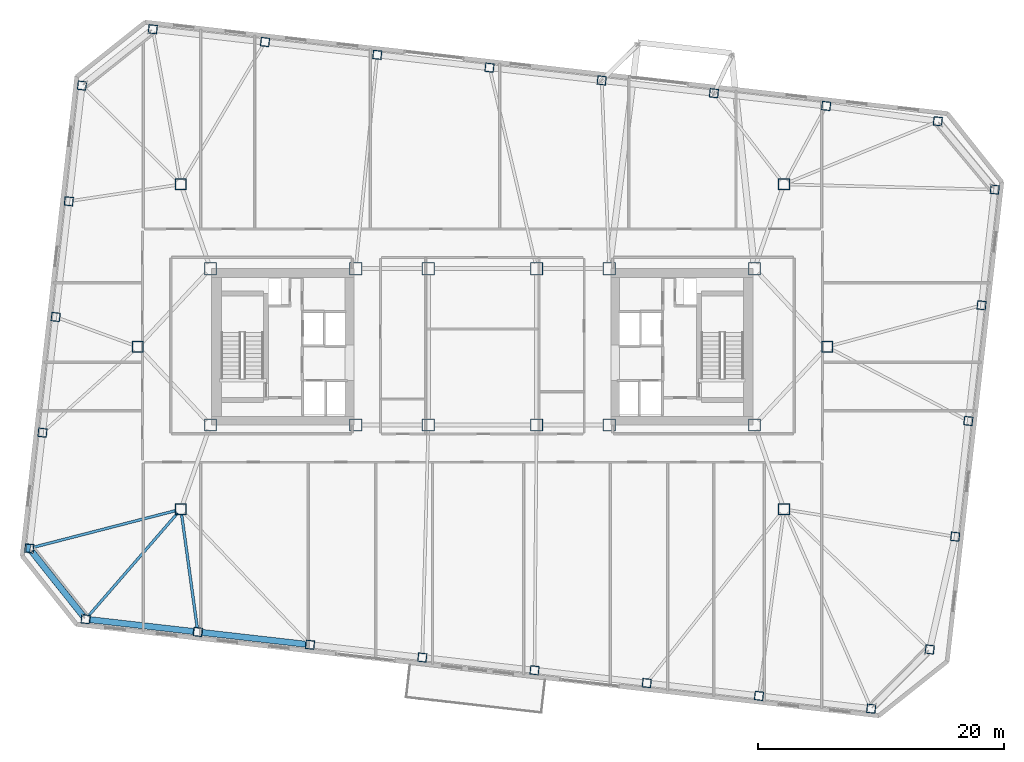
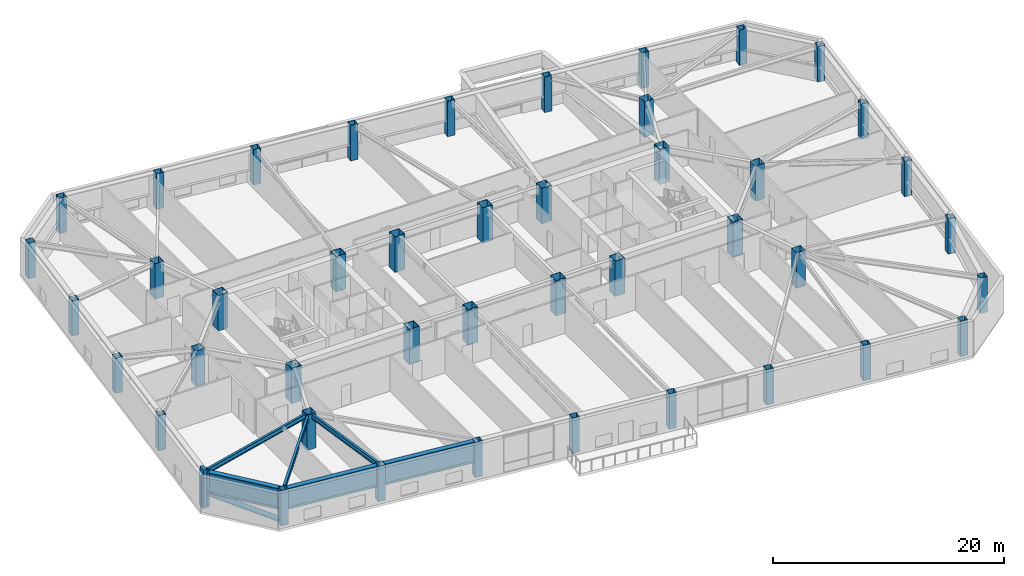
# One storey, part 1 of 21: 44 columns, 6 beams, 2 members.
"""IFC4 building model written with IfcOpenShell, lengths in metres."""

from ifc_helpers import new_model, si_unit, direction, frame, origin, origin_2d, place, context, subcontext, project, spatial, rectangle, hollow_rectangle, hollow_circle, i_section, extrude, material, material_profile, profile_set, type_object, element, save


model = new_model("IFC4")

# Units and contexts
model_context = context("Model", 3, precision=1e-05, world=origin(), true_north=direction((0.0, 1.0)))
body_context = subcontext(model_context, "Body", "Model", "MODEL_VIEW")
ifc_project = project(units=[si_unit("LENGTHUNIT", "METRE"), si_unit("AREAUNIT", "SQUARE_METRE"), si_unit("VOLUMEUNIT", "CUBIC_METRE"), si_unit("PLANEANGLEUNIT", "RADIAN"), si_unit("MASSUNIT", "GRAM", prefix="KILO")], contexts=[model_context])

# Site, building, storey
site_placement = place(None, origin())
site = spatial("IfcSite", under=ifc_project, at=site_placement, CompositionType="ELEMENT")
building_placement = place(site_placement, origin())
building = spatial("IfcBuilding", under=site, at=building_placement, Name="Tavrogorsk Clinical Tower", CompositionType="ELEMENT")
storey_placement = place(building_placement, frame((0.0, 0.0, 109.39990234375)))
storey = spatial("IfcBuildingStorey", under=building, at=storey_placement, Name="L24", CompositionType="ELEMENT", Elevation=109.39990234375)

# Columns
ifc_material_1 = material(Name="Structural steel S440", Category="steel")
ifc_material_profile_1 = material_profile(ifc_material_1, hollow_rectangle(XDim=1.0, YDim=1.0, WallThickness=0.044921875, at=origin_2d()), Name="BOX-1000x1000x45")
ifc_profile_set_1 = profile_set([ifc_material_profile_1], Name="Structural steel S440")
column_type_1 = type_object("IfcColumnType", Name="MegaCol_BOX1000", PredefinedType="COLUMN", material=ifc_profile_set_1)
for number, where, z_axis, x_axis, name in (
    (1, (-22.10009765625, -6.35009765625, 0.0), (0.0, 0.0, 1.0), (1.0, 0.0, 0.0), "L24 Mega Column MC-W1"),
    (2, (-22.10009765625, 6.35009765625, 0.0), (0.0, 0.0, 1.0), (1.0, 0.0, 0.0), "L24 Mega Column MC-W2"),
    (3, (-10.300048828125, -6.35009765625, 0.0), (0.0, 0.0, 1.0), (1.0, 0.0, 0.0), "L24 Mega Column MC-W3"),
    (4, (-10.300048828125, 6.35009765625, 0.0), (0.0, 0.0, 1.0), (1.0, 0.0, 0.0), "L24 Mega Column MC-W4"),
    (5, (10.300048828125, -6.35009765625, 0.0), (0.0, 0.0, 1.0), (1.0, 0.0, 0.0), "L24 Mega Column MC-E1"),
    (6, (10.300048828125, 6.35009765625, 0.0), (0.0, 0.0, 1.0), (1.0, 0.0, 0.0), "L24 Mega Column MC-E2"),
    (7, (22.10009765625, -6.35009765625, 0.0), (0.0, 0.0, 1.0), (1.0, 0.0, 0.0), "L24 Mega Column MC-E3"),
    (8, (22.10009765625, 6.35009765625, 0.0), (0.0, 0.0, 1.0), (1.0, 0.0, 0.0), "L24 Mega Column MC-E4"),
    (9, (-4.39990234375, -6.35009765625, 0.0), (0.0, 0.0, 1.0), (1.0, 0.0, 0.0), "L24 Mega Column MC-C1"),
    (10, (4.39990234375, -6.35009765625, 0.0), (0.0, 0.0, 1.0), (1.0, 0.0, 0.0), "L24 Mega Column MC-C2"),
    (11, (-4.39990234375, 6.35009765625, 0.0), (0.0, 0.0, 1.0), (1.0, 0.0, 0.0), "L24 Mega Column MC-C3"),
    (12, (4.39990234375, 6.35009765625, 0.0), (0.0, 0.0, 1.0), (1.0, 0.0, 0.0), "L24 Mega Column MC-C4"),
):
    element("IfcColumn", number, at=place(storey_placement, frame(where, z_axis=z_axis, x_axis=x_axis)), inside=storey, type_object=column_type_1, Name=name, PredefinedType="COLUMN", context=body_context, shape_type="SweptSolid", body=[
        extrude(hollow_rectangle(XDim=1.0, YDim=1.0, WallThickness=0.044921875, at=origin_2d()), origin(), (0.0, 0.0, 1.0), 3.739990234375),
    ])
ifc_material_2 = material(Name="Structural steel S440", Category="steel")
ifc_material_profile_2 = material_profile(ifc_material_2, hollow_rectangle(XDim=0.89990234375, YDim=0.89990234375, WallThickness=0.0400390625, at=origin_2d()), Name="BOX-900x900x40")
ifc_profile_set_2 = profile_set([ifc_material_profile_2], Name="Structural steel S440")
column_type_2 = type_object("IfcColumnType", Name="MegaCol_BOX900", PredefinedType="COLUMN", material=ifc_profile_set_2)
for number, where, z_axis, x_axis, name in (
    (13, (-24.5, -13.199951171875, 0.0), (0.0, 0.0, 1.0), (1.0, 0.0, 0.0), "L24 Spine Pilotis Column MC-P1"),
    (14, (24.5, -13.199951171875, 0.0), (0.0, 0.0, 1.0), (1.0, 0.0, 0.0), "L24 Spine Pilotis Column MC-P2"),
    (15, (-24.5, 13.199951171875, 0.0), (0.0, 0.0, 1.0), (1.0, 0.0, 0.0), "L24 Spine Pilotis Column MC-P3"),
    (16, (24.5, 13.199951171875, 0.0), (0.0, 0.0, 1.0), (1.0, 0.0, 0.0), "L24 Spine Pilotis Column MC-P4"),
    (17, (-28.0, 0.0, 0.0), (0.0, 0.0, 1.0), (1.0, 0.0, 0.0), "L24 Spine Pilotis Column MC-P5"),
    (18, (28.0, 0.0, 0.0), (0.0, 0.0, 1.0), (1.0, 0.0, 0.0), "L24 Spine Pilotis Column MC-P6"),
):
    element("IfcColumn", number, at=place(storey_placement, frame(where, z_axis=z_axis, x_axis=x_axis)), inside=storey, type_object=column_type_2, Name=name, PredefinedType="COLUMN", context=body_context, shape_type="SweptSolid", body=[
        extrude(hollow_rectangle(XDim=0.89990234375, YDim=0.89990234375, WallThickness=0.0400390625, at=origin_2d()), origin(), (0.0, 0.0, 1.0), 3.739990234375),
    ])
ifc_material_3 = material(Name="Structural steel S440", Category="steel")
ifc_material_profile_3 = material_profile(ifc_material_3, hollow_rectangle(XDim=0.699951171875, YDim=0.699951171875, WallThickness=0.031982421875, at=origin_2d()), Name="BOX-700x700x32")
ifc_profile_set_3 = profile_set([ifc_material_profile_3], Name="Structural steel S440")
column_type_3 = type_object("IfcColumnType", Name="PerimCol_B2_BOX700", PredefinedType="COLUMN", material=ifc_profile_set_3)
for number, where, z_axis, x_axis, name in (
    (19, (-32.243896484375, -22.12890625, 0.0), (0.0, 0.0, 1.0), (0.993571855677, -0.113203213768, 0.0), "L24 Perimeter Column S1"),
    (20, (-23.1259765625, -23.167724609375, 0.0), (0.0, 0.0, 1.0), (0.993571855677, -0.113203213768, 0.0), "L24 Perimeter Column S2"),
    (21, (-14.0078125, -24.20654296875, 0.0), (0.0, 0.0, 1.0), (0.993571855677, -0.113203213768, 0.0), "L24 Perimeter Column S3"),
    (22, (-4.8896484375, -25.24560546875, 0.0), (0.0, 0.0, 1.0), (0.993571855677, -0.113203213768, 0.0), "L24 Perimeter Column S4"),
    (23, (4.228515625, -26.284423828125, 0.0), (0.0, 0.0, 1.0), (0.993571855677, -0.113203213768, 0.0), "L24 Perimeter Column S5"),
    (24, (13.3466796875, -27.3232421875, 0.0), (0.0, 0.0, 1.0), (0.993571855677, -0.113203213768, 0.0), "L24 Perimeter Column S6"),
    (25, (22.465087890625, -28.3623046875, 0.0), (0.0, 0.0, 1.0), (0.993571855677, -0.113203213768, 0.0), "L24 Perimeter Column S7"),
    (26, (31.5830078125, -29.40087890625, 0.0), (0.0, 0.0, 1.0), (0.993571855677, -0.113203213768, 0.0), "L24 Perimeter Column S8"),
    (27, (36.99658203125, 18.323486328125, 0.0), (0.0, 0.0, 1.0), (0.993571855677, -0.113203213768, 0.0), "L24 Perimeter Column N1"),
    (28, (27.92578125, 19.567626953125, 0.0), (0.0, 0.0, 1.0), (0.993571855677, -0.113203213768, 0.0), "L24 Perimeter Column N2"),
    (29, (18.8076171875, 20.606689453125, 0.0), (0.0, 0.0, 1.0), (0.993571855677, -0.113203213768, 0.0), "L24 Perimeter Column N3"),
    (30, (9.689697265625, 21.6455078125, 0.0), (0.0, 0.0, 1.0), (0.993571855677, -0.113203213768, 0.0), "L24 Perimeter Column N4"),
    (31, (0.5712890625, 22.684326171875, 0.0), (0.0, 0.0, 1.0), (0.993571855677, -0.113203213768, 0.0), "L24 Perimeter Column N5"),
    (32, (-8.546875, 23.723388671875, 0.0), (0.0, 0.0, 1.0), (0.993571855677, -0.113203213768, 0.0), "L24 Perimeter Column N6"),
    (33, (-17.6650390625, 24.76220703125, 0.0), (0.0, 0.0, 1.0), (0.993571855677, -0.113203213768, 0.0), "L24 Perimeter Column N7"),
    (34, (-26.783203125, 25.801025390625, 0.0), (0.0, 0.0, 1.0), (0.993571855677, -0.113203213768, 0.0), "L24 Perimeter Column N8"),
    (35, (36.335693359375, -24.591796875, 0.0), (0.0, 0.0, 1.0), (0.993571855677, -0.113203213768, 0.0), "L24 Perimeter Column E1"),
    (36, (38.4091796875, -15.423828125, 0.0), (0.0, 0.0, 1.0), (0.993571855677, -0.113203213768, 0.0), "L24 Perimeter Column E2"),
    (37, (39.47998046875, -6.024658203125, 0.0), (0.0, 0.0, 1.0), (0.993571855677, -0.113203213768, 0.0), "L24 Perimeter Column E3"),
    (38, (40.551025390625, 3.37451171875, 0.0), (0.0, 0.0, 1.0), (0.993571855677, -0.113203213768, 0.0), "L24 Perimeter Column E4"),
    (39, (41.621826171875, 12.773681640625, 0.0), (0.0, 0.0, 1.0), (0.993571855677, -0.113203213768, 0.0), "L24 Perimeter Column E5"),
    (40, (-32.538330078125, 21.22314453125, 0.0), (0.0, 0.0, 1.0), (0.993571855677, -0.113203213768, 0.0), "L24 Perimeter Column W1"),
    (41, (-33.609130859375, 11.823974609375, 0.0), (0.0, 0.0, 1.0), (0.993571855677, -0.113203213768, 0.0), "L24 Perimeter Column W2"),
    (42, (-34.68017578125, 2.4248046875, 0.0), (0.0, 0.0, 1.0), (0.993571855677, -0.113203213768, 0.0), "L24 Perimeter Column W3"),
    (43, (-35.7509765625, -6.974365234375, 0.0), (0.0, 0.0, 1.0), (0.993571855677, -0.113203213768, 0.0), "L24 Perimeter Column W4"),
    (44, (-36.822021484375, -16.37353515625, 0.0), (0.0, 0.0, 1.0), (0.993571855677, -0.113203213768, 0.0), "L24 Perimeter Column W5"),
):
    element("IfcColumn", number, at=place(storey_placement, frame(where, z_axis=z_axis, x_axis=x_axis)), inside=storey, type_object=column_type_3, Name=name, PredefinedType="COLUMN", context=body_context, shape_type="SweptSolid", body=[
        extrude(hollow_rectangle(XDim=0.699951171875, YDim=0.699951171875, WallThickness=0.031982421875, at=origin_2d()), origin(), (0.0, 0.0, 1.0), 3.739990234375),
    ])

# Member
ifc_material_4 = material(Name="Structural steel S440", Category="steel")
ifc_material_profile_4 = material_profile(ifc_material_4, hollow_circle(Radius=0.25390625, WallThickness=0.02001953125, at=origin_2d()), Name="CHS-508x20")
ifc_profile_set_4 = profile_set([ifc_material_profile_4], Name="Structural steel S440")
member_type_1 = type_object("IfcMemberType", Name="ExoBrace_CHS508", PredefinedType="BRACE", material=ifc_profile_set_4)
member_1_placement = place(storey_placement, frame((-32.464111328125, -21.852294921875, 0.357177734375), z_axis=(-0.61449437536, 0.772577658141, 0.15975113393), x_axis=(-0.782628707887, -0.622488799571, 0.0)))
element("IfcMember", 45, at=member_1_placement, inside=storey, type_object=member_type_1, Name="L24 Corner Exoskeleton Brace W5-S1", PredefinedType="BRACE", context=body_context, shape_type="SweptSolid", body=[
    extrude(hollow_circle(Radius=0.25390625, WallThickness=0.02001953125, at=origin_2d()), origin(), (0.0, 0.0, 1.0), 6.7333984375),
])

# Beams
ifc_material_5 = material(Name="Structural steel S355", Category="steel")
ifc_material_profile_5 = material_profile(ifc_material_5, i_section(OverallWidth=0.219970703125, OverallDepth=0.5, WebThickness=0.012939453125, FlangeThickness=0.02001953125, at=origin_2d()), Name="B-500x220x13x20")
ifc_profile_set_5 = profile_set([ifc_material_profile_5], Name="Structural steel S355")
beam_type_1 = type_object("IfcBeamType", Name="FloorBeam_B500", PredefinedType="BEAM", material=ifc_profile_set_5)
beam_1_placement = place(storey_placement, frame((-24.7685546875, -13.509765625, 3.489990234375), z_axis=(-0.655213926096, -0.755443387058, 0.0), x_axis=(0.755443387058, -0.655213926096, 0.0)))
element("IfcBeam", 46, at=beam_1_placement, inside=storey, type_object=beam_type_1, Name="L24 Radial Floor Beam S1", PredefinedType="BEAM", context=body_context, shape_type="SweptSolid", body=[
    extrude(i_section(OverallWidth=0.219970703125, OverallDepth=0.5, WebThickness=0.012939453125, FlangeThickness=0.02001953125, at=origin_2d()), origin(), (0.0, 0.0, 1.0), 11.05126953125),
])
beam_2_placement = place(storey_placement, frame((-24.444091796875, -13.606201171875, 3.489990234375), z_axis=(0.136572505989, -0.990630077581, 0.0), x_axis=(0.990630077581, 0.136572505989, 0.0)))
element("IfcBeam", 47, at=beam_2_placement, inside=storey, type_object=beam_type_1, Name="L24 Radial Floor Beam S2", PredefinedType="BEAM", context=body_context, shape_type="SweptSolid", body=[
    extrude(i_section(OverallWidth=0.219970703125, OverallDepth=0.5, WebThickness=0.012939453125, FlangeThickness=0.02001953125, at=origin_2d()), origin(), (0.0, 0.0, 1.0), 9.2939453125),
])
beam_3_placement = place(storey_placement, frame((-24.89697265625, -13.30224609375, 3.489990234375), z_axis=(-0.968393085087, -0.24942901346, 0.0), x_axis=(0.24942901346, -0.968393085087, 0.0)))
element("IfcBeam", 48, at=beam_3_placement, inside=storey, type_object=beam_type_1, Name="L24 Radial Floor Beam W5", PredefinedType="BEAM", context=body_context, shape_type="SweptSolid", body=[
    extrude(i_section(OverallWidth=0.219970703125, OverallDepth=0.5, WebThickness=0.012939453125, FlangeThickness=0.02001953125, at=origin_2d()), origin(), (0.0, 0.0, 1.0), 11.9560546875),
])

# Member
ifc_material_6 = material(Name="Precast concrete B45 with limestone cladding", Category="masonry")
ifc_material_profile_6 = material_profile(ifc_material_6, rectangle(XDim=0.320068359375, YDim=0.719970703125, at=origin_2d()), Name="LIMESTONE-FIN-320x720")
ifc_profile_set_6 = profile_set([ifc_material_profile_6], Name="Precast concrete B45 with limestone cladding")
member_type_2 = type_object("IfcMemberType", Name="LimestonePleatFin_320x720", PredefinedType="USERDEFINED", material=ifc_profile_set_6)
member_2_placement = place(storey_placement, frame((-36.9013671875, -16.364501953125, 0.0), z_axis=(0.0, 0.0, 1.0), x_axis=(0.993571855677, -0.113203213768, 0.0)))
element("IfcMember", 49, at=member_2_placement, inside=storey, type_object=member_type_2, Name="L24 W Pleated Stone Fin 4", ObjectType="FIN", PredefinedType="USERDEFINED", context=body_context, shape_type="SweptSolid", body=[
    extrude(rectangle(XDim=0.320068359375, YDim=0.719970703125, at=origin_2d()), origin(), (0.0, 0.0, 1.0), 4.0),
])

# Beams
ifc_material_7 = material(Name="Structural steel S440", Category="steel")
ifc_material_profile_7 = material_profile(ifc_material_7, i_section(OverallWidth=0.5, OverallDepth=2.199951171875, WebThickness=0.035888671875, FlangeThickness=0.054931640625, at=origin_2d()), Name="DK-2200x500x36x55")
ifc_profile_set_7 = profile_set([ifc_material_profile_7], Name="Structural steel S440")
beam_type_2 = type_object("IfcBeamType", Name="TransferGirder_DK2200", PredefinedType="USERDEFINED", material=ifc_profile_set_7)
beam_4_placement = place(storey_placement, frame((-31.88818359375, -22.16943359375, 2.64013671875), z_axis=(0.99357232562, -0.113199089054, 0.0), x_axis=(0.113199089054, 0.99357232562, 0.0)))
element("IfcBeam", 50, at=beam_4_placement, inside=storey, type_object=beam_type_2, Name="L24 Perimeter Spandrel S1-S2", ObjectType="GIRDER", PredefinedType="USERDEFINED", context=body_context, shape_type="SweptSolid", body=[
    extrude(i_section(OverallWidth=0.5, OverallDepth=2.199951171875, WebThickness=0.035888671875, FlangeThickness=0.054931640625, at=origin_2d()), origin(), (0.0, 0.0, 1.0), 8.4609375),
])
beam_5_placement = place(storey_placement, frame((-22.770263671875, -23.208251953125, 2.64013671875), z_axis=(0.99357306506, -0.113192598642, 0.0), x_axis=(0.113192598642, 0.99357306506, 0.0)))
element("IfcBeam", 51, at=beam_5_placement, inside=storey, type_object=beam_type_2, Name="L24 Perimeter Spandrel S2-S3", ObjectType="GIRDER", PredefinedType="USERDEFINED", context=body_context, shape_type="SweptSolid", body=[
    extrude(i_section(OverallWidth=0.5, OverallDepth=2.199951171875, WebThickness=0.035888671875, FlangeThickness=0.054931640625, at=origin_2d()), origin(), (0.0, 0.0, 1.0), 8.46142578125),
])
beam_6_placement = place(storey_placement, frame((-36.59912109375, -16.65380859375, 2.64013671875), z_axis=(0.622530733212, -0.782595352788, 0.0), x_axis=(0.782595352788, 0.622530733212, 0.0)))
element("IfcBeam", 52, at=beam_6_placement, inside=storey, type_object=beam_type_2, Name="L24 Perimeter Spandrel W5-S1", ObjectType="GIRDER", PredefinedType="USERDEFINED", context=body_context, shape_type="SweptSolid", body=[
    extrude(i_section(OverallWidth=0.5, OverallDepth=2.199951171875, WebThickness=0.035888671875, FlangeThickness=0.054931640625, at=origin_2d()), origin(), (0.0, 0.0, 1.0), 6.637939453125),
])

save(model, "model.ifc")
